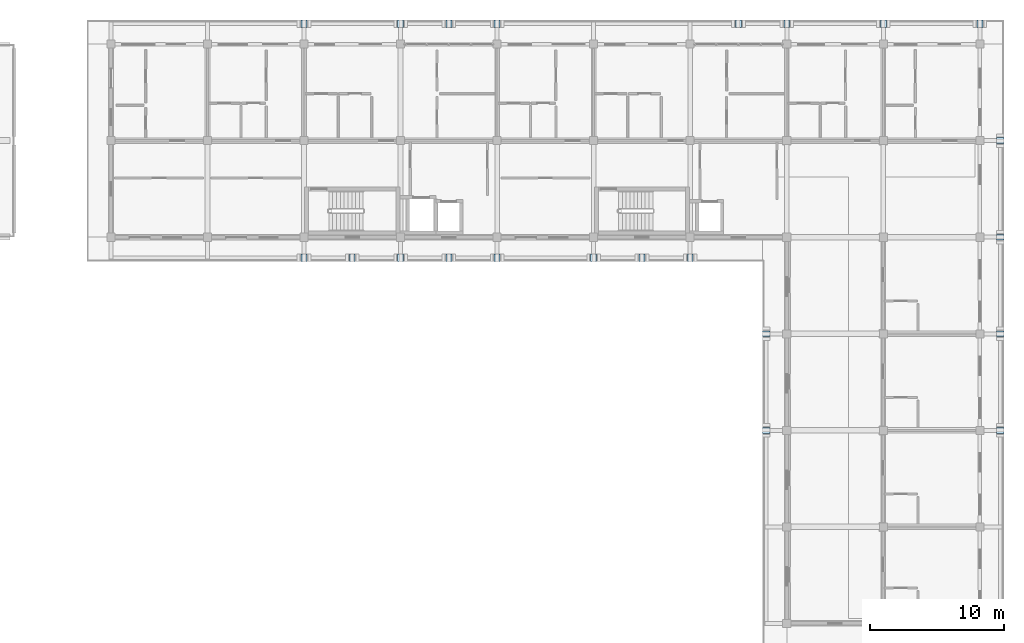
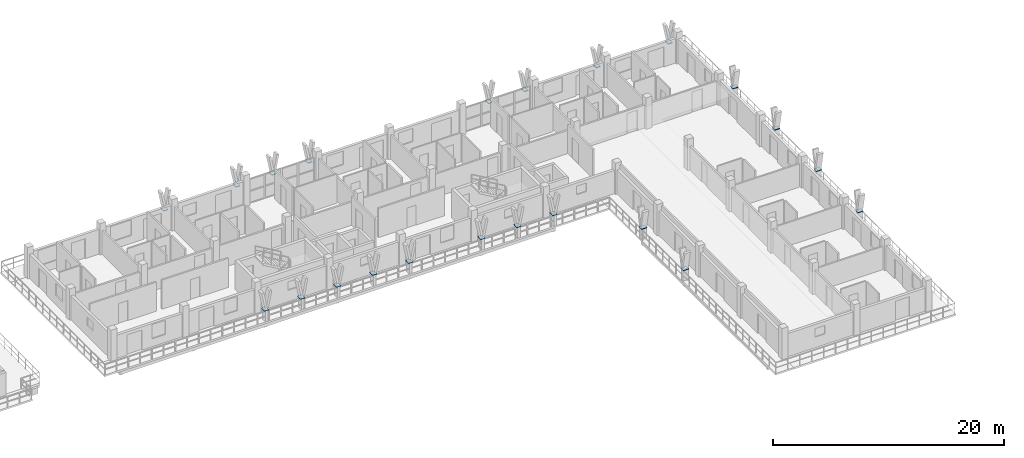
# One storey, part 37 of 75: 22 plates.
"""IFC4 building model written with IfcOpenShell, lengths in metres."""

from ifc_helpers import new_model, si_unit, direction, frame, origin, origin_2d, place, context, subcontext, project, spatial, rectangle, extrude, material, layer, layer_set, type_object, element, save


model = new_model("IFC4")

# Units and contexts
model_context = context("Model", 3, precision=1e-05, world=origin(), true_north=direction((0.0, 1.0)))
body_context = subcontext(model_context, "Body", "Model", "MODEL_VIEW")
ifc_project = project(units=[si_unit("LENGTHUNIT", "METRE"), si_unit("AREAUNIT", "SQUARE_METRE"), si_unit("VOLUMEUNIT", "CUBIC_METRE"), si_unit("PLANEANGLEUNIT", "RADIAN"), si_unit("MASSUNIT", "GRAM", prefix="KILO")], contexts=[model_context])

# Site, building, storey
site_placement = place(None, origin())
site = spatial("IfcSite", under=ifc_project, at=site_placement, CompositionType="ELEMENT")
building_placement = place(site_placement, origin())
building = spatial("IfcBuilding", under=site, at=building_placement, Name="Suanplinth Sawtooth Commons", CompositionType="ELEMENT")
storey_placement = place(building_placement, frame((0.0, 0.0, 18.60009765625)))
storey = spatial("IfcBuildingStorey", under=building, at=storey_placement, Name="L05", CompositionType="ELEMENT", Elevation=18.60009765625)

# Plates
ifc_material = material(Name="Pigmented precast concrete C40/50", Category="concrete")
ifc_layer = layer(ifc_material, 0.06005859375, Name="Precast Y-blade bifurcation node plate 60mm")
ifc_layer_set = layer_set([ifc_layer], Name="Pigmented precast concrete C40/50")
plate_type = type_object("IfcPlateType", Name="PL-04", PredefinedType="USERDEFINED", material=ifc_layer_set)
for number, where, z_axis, x_axis, name in (
    (1, (136.800048828125, 123.919921875, 1.119873046875), (0.0, 0.0, 1.0), (1.0, 0.0, 0.0), "Y-Blade Node Plate L05-B-N-01"),
    (2, (144.0, 123.919921875, 1.119873046875), (0.0, 0.0, 1.0), (1.0, 0.0, 0.0), "Y-Blade Node Plate L05-B-N-02"),
    (3, (147.60009765625, 123.919921875, 1.119873046875), (0.0, 0.0, 1.0), (1.0, 0.0, 0.0), "Y-Blade Node Plate L05-B-N-03"),
    (4, (151.199951171875, 123.919921875, 1.119873046875), (0.0, 0.0, 1.0), (1.0, 0.0, 0.0), "Y-Blade Node Plate L05-B-N-04"),
    (5, (169.199951171875, 123.919921875, 1.119873046875), (0.0, 0.0, 1.0), (1.0, 0.0, 0.0), "Y-Blade Node Plate L05-B-N-05"),
    (6, (172.800048828125, 123.919921875, 1.119873046875), (0.0, 0.0, 1.0), (1.0, 0.0, 0.0), "Y-Blade Node Plate L05-B-N-06"),
    (7, (180.0, 123.919921875, 1.119873046875), (0.0, 0.0, 1.0), (1.0, 0.0, 0.0), "Y-Blade Node Plate L05-B-N-07"),
    (8, (187.199951171875, 123.919921875, 1.119873046875), (0.0, 0.0, 1.0), (1.0, 0.0, 0.0), "Y-Blade Node Plate L05-B-N-08"),
    (9, (188.719970703125, 93.60009765625, 1.119873046875), (0.0, 0.0, 1.0), (0.0, 1.0, 0.0), "Y-Blade Node Plate L05-B-E-09"),
    (10, (188.719970703125, 100.800048828125, 1.119873046875), (0.0, 0.0, 1.0), (0.0, 1.0, 0.0), "Y-Blade Node Plate L05-B-E-10"),
    (11, (188.719970703125, 108.0, 1.119873046875), (0.0, 0.0, 1.0), (0.0, 1.0, 0.0), "Y-Blade Node Plate L05-B-E-11"),
    (12, (188.719970703125, 115.199951171875, 1.119873046875), (0.0, 0.0, 1.0), (0.0, 1.0, 0.0), "Y-Blade Node Plate L05-B-E-12"),
    (13, (136.800048828125, 106.47998046875, 1.119873046875), (0.0, 0.0, 1.0), (1.0, 0.0, 0.0), "Y-Blade Node Plate L05-B-SC-13"),
    (14, (140.39990234375, 106.47998046875, 1.119873046875), (0.0, 0.0, 1.0), (1.0, 0.0, 0.0), "Y-Blade Node Plate L05-B-SC-14"),
    (15, (144.0, 106.47998046875, 1.119873046875), (0.0, 0.0, 1.0), (1.0, 0.0, 0.0), "Y-Blade Node Plate L05-B-SC-15"),
    (16, (147.60009765625, 106.47998046875, 1.119873046875), (0.0, 0.0, 1.0), (1.0, 0.0, 0.0), "Y-Blade Node Plate L05-B-SC-16"),
    (17, (151.199951171875, 106.47998046875, 1.119873046875), (0.0, 0.0, 1.0), (1.0, 0.0, 0.0), "Y-Blade Node Plate L05-B-SC-17"),
    (18, (158.39990234375, 106.47998046875, 1.119873046875), (0.0, 0.0, 1.0), (1.0, 0.0, 0.0), "Y-Blade Node Plate L05-B-SC-18"),
    (19, (162.0, 106.47998046875, 1.119873046875), (0.0, 0.0, 1.0), (1.0, 0.0, 0.0), "Y-Blade Node Plate L05-B-SC-19"),
    (20, (165.60009765625, 106.47998046875, 1.119873046875), (0.0, 0.0, 1.0), (1.0, 0.0, 0.0), "Y-Blade Node Plate L05-B-SC-20"),
    (21, (171.280029296875, 93.60009765625, 1.119873046875), (0.0, 0.0, 1.0), (0.0, 1.0, 0.0), "Y-Blade Node Plate L05-B-WC-21"),
    (22, (171.280029296875, 100.800048828125, 1.119873046875), (0.0, 0.0, 1.0), (0.0, 1.0, 0.0), "Y-Blade Node Plate L05-B-WC-22"),
):
    element("IfcPlate", number, at=place(storey_placement, frame(where, z_axis=z_axis, x_axis=x_axis)), inside=storey, type_object=plate_type, Name=name, ObjectType="GUSSET PLATE", PredefinedType="USERDEFINED", context=body_context, shape_type="SweptSolid", body=[
        extrude(rectangle(XDim=0.43994140625, YDim=0.550048828125, at=origin_2d()), origin(), (0.0, 0.0, 1.0), 0.06005859375),
    ])

save(model, "model.ifc")
